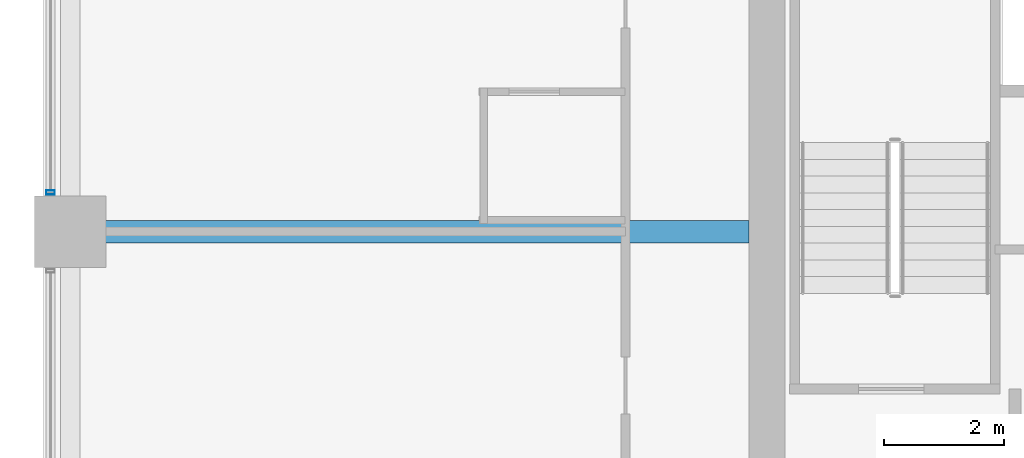
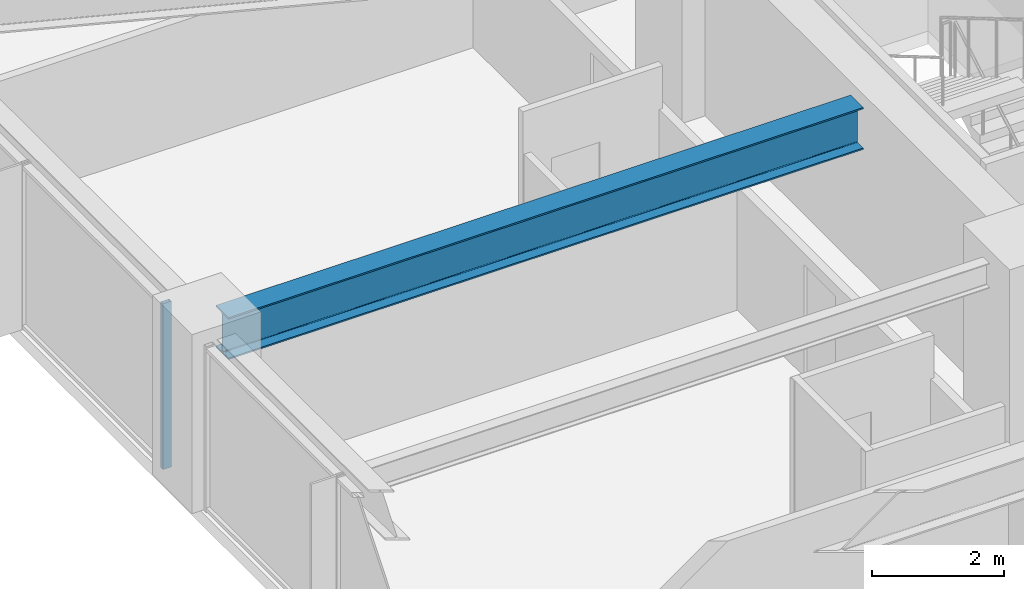
# One storey, part 10 of 38: 1 beam, 1 member, 1 element without a shape of its own.
"""IFC4 building model written with IfcOpenShell, lengths in metres."""

from ifc_helpers import new_model, si_unit, direction, frame, origin, origin_2d, place, context, subcontext, project, spatial, hollow_rectangle, i_section, extrude, material, material_profile, profile_set, type_object, element, aggregate, save


model = new_model("IFC4")

# Units and contexts
model_context = context("Model", 3, precision=1e-05, world=origin(), true_north=direction((0.0, 1.0)))
body_context = subcontext(model_context, "Body", "Model", "MODEL_VIEW")
ifc_project = project(units=[si_unit("LENGTHUNIT", "METRE"), si_unit("AREAUNIT", "SQUARE_METRE"), si_unit("VOLUMEUNIT", "CUBIC_METRE"), si_unit("PLANEANGLEUNIT", "RADIAN"), si_unit("MASSUNIT", "GRAM", prefix="KILO")], contexts=[model_context])

# Site, building, storey
site_placement = place(None, origin())
site = spatial("IfcSite", under=ifc_project, at=site_placement, CompositionType="ELEMENT")
building_placement = place(site_placement, origin())
building = spatial("IfcBuilding", under=site, at=building_placement, Name="Kolvaren Belvedere", CompositionType="ELEMENT")
storey_placement = place(building_placement, frame((0.0, 0.0, 27.10009765625)))
storey = spatial("IfcBuildingStorey", under=building, at=storey_placement, Name="L07", CompositionType="ELEMENT", Elevation=27.10009765625)

# Beam
ifc_material_1 = material(Name="Structural steel ASTM A992 Grade 50", Category="steel")
ifc_material_profile_1 = material_profile(ifc_material_1, i_section(OverallWidth=0.381103515625, OverallDepth=0.77294921875, WebThickness=0.0166015625, FlangeThickness=0.027099609375, FilletRadius=0.02392578125, at=origin_2d()), Name="W30X173")
ifc_profile_set_1 = profile_set([ifc_material_profile_1], Name="Structural steel ASTM A992 Grade 50")
beam_type = type_object("IfcBeamType", Name="BM-GIRD-W30X173", PredefinedType="BEAM", material=ifc_profile_set_1)
beam_placement = place(storey_placement, frame((-10.199951171875, 4.60009765625, 2.67333984375), z_axis=(-1.0, 0.0, 0.0), x_axis=(0.0, -1.0, 0.0)))
element("IfcBeam", 1, at=beam_placement, inside=storey, type_object=beam_type, Name="L07 West Radial Girder P", PredefinedType="BEAM", context=body_context, shape_type="SweptSolid", body=[
    extrude(i_section(OverallWidth=0.381103515625, OverallDepth=0.77294921875, WebThickness=0.0166015625, FlangeThickness=0.027099609375, FilletRadius=0.02392578125, at=origin_2d()), origin(), (0.0, 0.0, 1.0), 11.080078125),
])

# Curtain wall, member
ifc_material_2 = material(Name="Anodised pale-metal aluminium AA 6063-T6", Category="aluminium")
curtain_wall_type = type_object("IfcCurtainWallType", Name="CW-Z1-LOW", PredefinedType="NOTDEFINED", material=ifc_material_2)
curtain_wall_placement = place(storey_placement, origin())
curtain_wall = element("IfcCurtainWall", 2, at=curtain_wall_placement, inside=storey, type_object=curtain_wall_type, Name="L07 Unitised Curtain Wall FCW-L07-W-B3", PredefinedType="NOTDEFINED")
ifc_material_3 = material(Name="Anodised pale-metal aluminium AA 6063-T6", Category="aluminium")
ifc_material_profile_2 = material_profile(ifc_material_3, hollow_rectangle(XDim=0.070068359375, YDim=0.14990234375, WallThickness=0.004150390625, at=origin_2d()), Name="ALU-MUL-150X70")
ifc_profile_set_2 = profile_set([ifc_material_profile_2], Name="Anodised pale-metal aluminium AA 6063-T6")
member_type = type_object("IfcMemberType", Name="CW-MUL-150", PredefinedType="MULLION", material=ifc_profile_set_2)
member_placement = place(storey_placement, frame((-21.8798828125, 5.2548828125, 0.0), z_axis=(0.0, 0.0, 1.0), x_axis=(0.0, 1.0, 0.0)))
member = element("IfcMember", 3, at=member_placement, type_object=member_type, Name="FCW-L07-W-B3 Unitised Mullion 1", PredefinedType="MULLION", context=body_context, shape_type="SweptSolid", body=[
    extrude(hollow_rectangle(XDim=0.070068359375, YDim=0.14990234375, WallThickness=0.004150390625, at=origin_2d()), origin(), (0.0, 0.0, 1.0), 3.059814453125),
])
aggregate(curtain_wall, [member])

save(model, "model.ifc")
